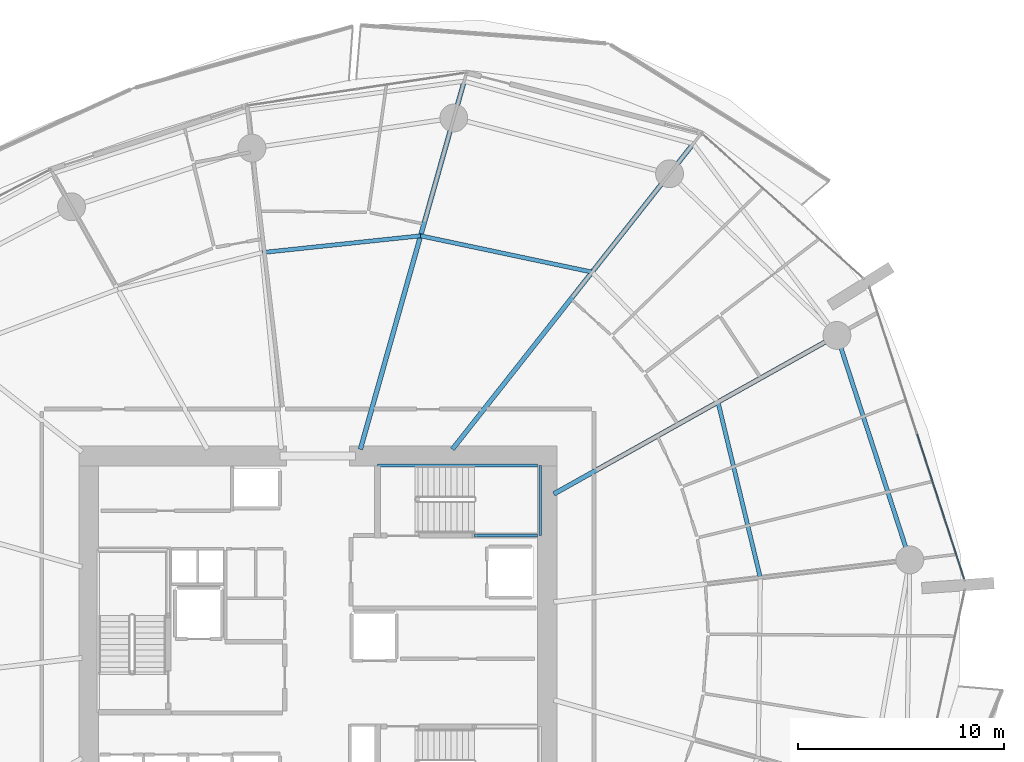
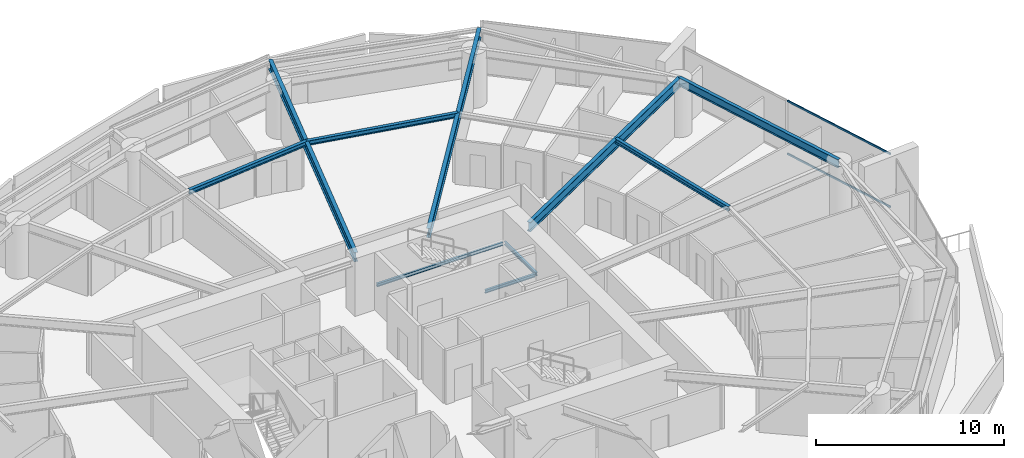
# One storey, part 14 of 32: 10 beams, 2 members, 1 element without a shape of its own.
"""IFC4 building model written with IfcOpenShell, lengths in metres."""

from ifc_helpers import new_model, si_unit, direction, frame, origin, origin_2d, place, context, subcontext, project, spatial, rectangle, i_section, extrude, material, layer, layer_set, material_profile, profile_set, type_object, element, aggregate, save


model = new_model("IFC4")

# Units and contexts
model_context = context("Model", 3, precision=1e-05, world=origin(), true_north=direction((0.0, 1.0)))
body_context = subcontext(model_context, "Body", "Model", "MODEL_VIEW")
ifc_project = project(units=[si_unit("LENGTHUNIT", "METRE"), si_unit("AREAUNIT", "SQUARE_METRE"), si_unit("VOLUMEUNIT", "CUBIC_METRE"), si_unit("PLANEANGLEUNIT", "RADIAN"), si_unit("MASSUNIT", "GRAM", prefix="KILO")], contexts=[model_context])

# Site, building, storey
site_placement = place(None, origin())
site = spatial("IfcSite", under=ifc_project, at=site_placement, CompositionType="ELEMENT")
building_placement = place(site_placement, origin())
building = spatial("IfcBuilding", under=site, at=building_placement, Name="Kazma Halo Residences", CompositionType="ELEMENT")
storey_placement = place(building_placement, frame((0.0, 0.0, 63.89990234375)))
storey = spatial("IfcBuildingStorey", under=building, at=storey_placement, Name="L15", CompositionType="ELEMENT", Elevation=63.89990234375)

# Beams
ifc_material_1 = material(Name="Steel S355", Category="steel")
ifc_material_profile_1 = material_profile(ifc_material_1, i_section(OverallWidth=0.22802734375, OverallDepth=0.60791015625, WebThickness=0.01123046875, FlangeThickness=0.017333984375, FilletRadius=0.01806640625, at=origin_2d()), Name="W610x113")
ifc_profile_set_1 = profile_set([ifc_material_profile_1], Name="Steel S355")
beam_type_1 = type_object("IfcBeamType", Name="BM-RAD-W610", PredefinedType="BEAM", material=ifc_profile_set_1)
beam_1_placement = place(storey_placement, frame((59.85009765625, 48.63623046875, 3.196044921875), z_axis=(0.872489859828, 0.48863221803, 0.0), x_axis=(-0.48863221803, 0.872489859828, 0.0)))
element("IfcBeam", 1, at=beam_1_placement, inside=storey, type_object=beam_type_1, Name="L15 radial floor beam 01", PredefinedType="BEAM", context=body_context, shape_type="SweptSolid", body=[
    extrude(i_section(OverallWidth=0.22802734375, OverallDepth=0.60791015625, WebThickness=0.01123046875, FlangeThickness=0.017333984375, FilletRadius=0.01806640625, at=origin_2d()), origin(), (0.0, 0.0, 1.0), 15.71923828125),
])
beam_2_placement = place(storey_placement, frame((54.9375, 50.800048828125, 3.196044921875), z_axis=(0.619092154321, 0.785318345932, 0.0), x_axis=(-0.785318345932, 0.619092154321, 0.0)))
element("IfcBeam", 2, at=beam_2_placement, inside=storey, type_object=beam_type_1, Name="L15 radial floor beam 02", PredefinedType="BEAM", context=body_context, shape_type="SweptSolid", body=[
    extrude(i_section(OverallWidth=0.22802734375, OverallDepth=0.60791015625, WebThickness=0.01123046875, FlangeThickness=0.017333984375, FilletRadius=0.01806640625, at=origin_2d()), origin(), (0.0, 0.0, 1.0), 18.84375),
])
beam_3_placement = place(storey_placement, frame((50.48193359375, 50.800048828125, 3.196044921875), z_axis=(0.271442010129, 0.962454796412, 0.0), x_axis=(-0.962454796412, 0.271442010129, 0.0)))
element("IfcBeam", 3, at=beam_3_placement, inside=storey, type_object=beam_type_1, Name="L15 radial floor beam 03", PredefinedType="BEAM", context=body_context, shape_type="SweptSolid", body=[
    extrude(i_section(OverallWidth=0.22802734375, OverallDepth=0.60791015625, WebThickness=0.01123046875, FlangeThickness=0.017333984375, FilletRadius=0.01806640625, at=origin_2d()), origin(), (0.0, 0.0, 1.0), 18.525390625),
])
ifc_material_profile_2 = material_profile(ifc_material_1, i_section(OverallWidth=0.202880859375, OverallDepth=0.302978515625, WebThickness=0.007568359375, FlangeThickness=0.01318359375, FilletRadius=0.013916015625, at=origin_2d()), Name="W310x60")
ifc_profile_set_2 = profile_set([ifc_material_profile_2], Name="Steel S355")
beam_type_2 = type_object("IfcBeamType", Name="BM-SEC-W310A", PredefinedType="JOIST", material=ifc_profile_set_2)
beam_4_placement = place(storey_placement, frame((61.703857421875, 59.383056640625, 3.3486328125), z_axis=(-0.97831665719, 0.207114746615, 0.0), x_axis=(-0.207114746615, -0.97831665719, 0.0)))
element("IfcBeam", 4, at=beam_4_placement, inside=storey, type_object=beam_type_2, Name="L15 circumferential floor joist 02", PredefinedType="JOIST", context=body_context, shape_type="SweptSolid", body=[
    extrude(i_section(OverallWidth=0.202880859375, OverallDepth=0.302978515625, WebThickness=0.007568359375, FlangeThickness=0.01318359375, FilletRadius=0.013916015625, at=origin_2d()), origin(), (0.0, 0.0, 1.0), 8.489501953125),
])
beam_5_placement = place(storey_placement, frame((53.3984375, 61.141357421875, 3.3486328125), z_axis=(-0.994456114777, -0.10515244069, 0.0), x_axis=(0.10515244069, -0.994456114777, 0.0)))
element("IfcBeam", 5, at=beam_5_placement, inside=storey, type_object=beam_type_2, Name="L15 circumferential floor joist 03", PredefinedType="JOIST", context=body_context, shape_type="SweptSolid", body=[
    extrude(i_section(OverallWidth=0.202880859375, OverallDepth=0.302978515625, WebThickness=0.007568359375, FlangeThickness=0.01318359375, FilletRadius=0.013916015625, at=origin_2d()), origin(), (0.0, 0.0, 1.0), 7.717529296875),
])
beam_6_placement = place(storey_placement, frame((69.853759765625, 44.586669921875, 3.3486328125), z_axis=(-0.234233116199, 0.972180460242, 0.0), x_axis=(-0.972180460242, -0.234233116199, 0.0)))
element("IfcBeam", 6, at=beam_6_placement, inside=storey, type_object=beam_type_2, Name="L15 circumferential floor joist 16", PredefinedType="JOIST", context=body_context, shape_type="SweptSolid", body=[
    extrude(i_section(OverallWidth=0.202880859375, OverallDepth=0.302978515625, WebThickness=0.007568359375, FlangeThickness=0.01318359375, FilletRadius=0.013916015625, at=origin_2d()), origin(), (0.0, 0.0, 1.0), 8.748046875),
])
ifc_material_profile_3 = material_profile(ifc_material_1, i_section(OverallWidth=0.208984375, OverallDepth=0.532958984375, WebThickness=0.01025390625, FlangeThickness=0.015625, FilletRadius=0.01611328125, at=origin_2d()), Name="W530x92")
ifc_profile_set_3 = profile_set([ifc_material_profile_3], Name="Steel S355")
beam_type_3 = type_object("IfcBeamType", Name="BM-SPN-W530", PredefinedType="BEAM", material=ifc_profile_set_3)
beam_7_placement = place(storey_placement, frame((77.097900390625, 45.444091796875, 3.233642578125), z_axis=(-0.309024264898, 0.951054153928, 0.0), x_axis=(-0.951054153928, -0.309024264898, 0.0)))
element("IfcBeam", 7, at=beam_7_placement, inside=storey, type_object=beam_type_3, Name="L15 perimeter ring beam 16", PredefinedType="BEAM", context=body_context, shape_type="SweptSolid", body=[
    extrude(i_section(OverallWidth=0.208984375, OverallDepth=0.532958984375, WebThickness=0.01025390625, FlangeThickness=0.015625, FilletRadius=0.01611328125, at=origin_2d()), origin(), (0.0, 0.0, 1.0), 11.4326171875),
])
ifc_material_profile_4 = material_profile(ifc_material_1, i_section(OverallWidth=0.133056640625, OverallDepth=0.20703125, WebThickness=0.005859375, FlangeThickness=0.00830078125, FilletRadius=0.010009765625, at=origin_2d()), Name="W200x26.6")
ifc_profile_set_4 = profile_set([ifc_material_profile_4], Name="Steel S355")
beam_type_4 = type_object("IfcBeamType", Name="BM-TRIM-W200", PredefinedType="BEAM", material=ifc_profile_set_4)
beam_8_placement = place(storey_placement, frame((51.31005859375, 50.02001953125, 1.570068359375), z_axis=(1.0, 0.0, 0.0), x_axis=(0.0, 1.0, 0.0)))
element("IfcBeam", 8, at=beam_8_placement, inside=storey, type_object=beam_type_4, Name="L15 ST-02 landing north wall ledger", PredefinedType="BEAM", context=body_context, shape_type="SweptSolid", body=[
    extrude(i_section(OverallWidth=0.133056640625, OverallDepth=0.20703125, WebThickness=0.005859375, FlangeThickness=0.00830078125, FilletRadius=0.010009765625, at=origin_2d()), origin(), (0.0, 0.0, 1.0), 7.760009765625),
])
beam_9_placement = place(storey_placement, frame((56.0, 46.6201171875, 1.570068359375), z_axis=(1.0, 0.0, 0.0), x_axis=(0.0, 1.0, 0.0)))
element("IfcBeam", 9, at=beam_9_placement, inside=storey, type_object=beam_type_4, Name="L15 ST-02 landing south wall ledger", PredefinedType="BEAM", context=body_context, shape_type="SweptSolid", body=[
    extrude(i_section(OverallWidth=0.133056640625, OverallDepth=0.20703125, WebThickness=0.005859375, FlangeThickness=0.00830078125, FilletRadius=0.010009765625, at=origin_2d()), origin(), (0.0, 0.0, 1.0), 3.070068359375),
])
beam_10_placement = place(storey_placement, frame((59.18994140625, 46.6201171875, 1.570068359375), z_axis=(0.0, 1.0, 0.0), x_axis=(-1.0, 0.0, 0.0)))
element("IfcBeam", 10, at=beam_10_placement, inside=storey, type_object=beam_type_4, Name="L15 ST-02 landing end wall ledger", PredefinedType="BEAM", context=body_context, shape_type="SweptSolid", body=[
    extrude(i_section(OverallWidth=0.133056640625, OverallDepth=0.20703125, WebThickness=0.005859375, FlangeThickness=0.00830078125, FilletRadius=0.010009765625, at=origin_2d()), origin(), (0.0, 0.0, 1.0), 3.39990234375),
])

# Curtain wall, members
ifc_material_2 = material(Name="Aluminium AW-6063 T6 and Triple-Silver Low-E Glass", Category="aluminium")
ifc_layer = layer(ifc_material_2, 0.159912109375)
ifc_layer_set = layer_set([ifc_layer], Name="Aluminium AW-6063 T6 and Triple-Silver Low-E Glass")
curtain_wall_type = type_object("IfcCurtainWallType", Name="CW-SYS-2", PredefinedType="NOTDEFINED", material=ifc_layer_set)
curtain_wall_placement = place(storey_placement, origin())
curtain_wall = element("IfcCurtainWall", 11, at=curtain_wall_placement, inside=storey, type_object=curtain_wall_type, Name="L15 unitised curtain wall B16", PredefinedType="NOTDEFINED")
ifc_material_3 = material(Name="Aluminium AW-6063 T6", Category="aluminium")
ifc_material_profile_5 = material_profile(ifc_material_3, rectangle(XDim=0.06005859375, YDim=0.1201171875, at=origin_2d()), Name="CWT-60x120")
ifc_profile_set_5 = profile_set([ifc_material_profile_5], Name="Aluminium AW-6063 T6")
member_type = type_object("IfcMemberType", Name="CW-SYS-2-TRN", PredefinedType="USERDEFINED", material=ifc_profile_set_5)
member_1_placement = place(storey_placement, frame((79.72900390625, 44.52783203125, 0.030029296875), z_axis=(-0.309034393795, 0.951050862705, 0.0), x_axis=(-0.951050862705, -0.309034393795, 0.0)))
member_1 = element("IfcMember", 12, at=member_1_placement, type_object=member_type, Name="CWS-2 transom 1.1", ObjectType="TRANSOM", PredefinedType="USERDEFINED", context=body_context, shape_type="SweptSolid", body=[
    extrude(rectangle(XDim=0.06005859375, YDim=0.1201171875, at=origin_2d()), origin(), (0.0, 0.0, 1.0), 7.370849609375),
])
member_2_placement = place(storey_placement, frame((79.72900390625, 44.52783203125, 3.47021484375), z_axis=(-0.309034393795, 0.951050862705, 0.0), x_axis=(-0.951050862705, -0.309034393795, 0.0)))
member_2 = element("IfcMember", 13, at=member_2_placement, type_object=member_type, Name="CWS-2 transom 1.2", ObjectType="TRANSOM", PredefinedType="USERDEFINED", context=body_context, shape_type="SweptSolid", body=[
    extrude(rectangle(XDim=0.06005859375, YDim=0.1201171875, at=origin_2d()), origin(), (0.0, 0.0, 1.0), 7.370849609375),
])
aggregate(curtain_wall, [member_1, member_2])

save(model, "model.ifc")
